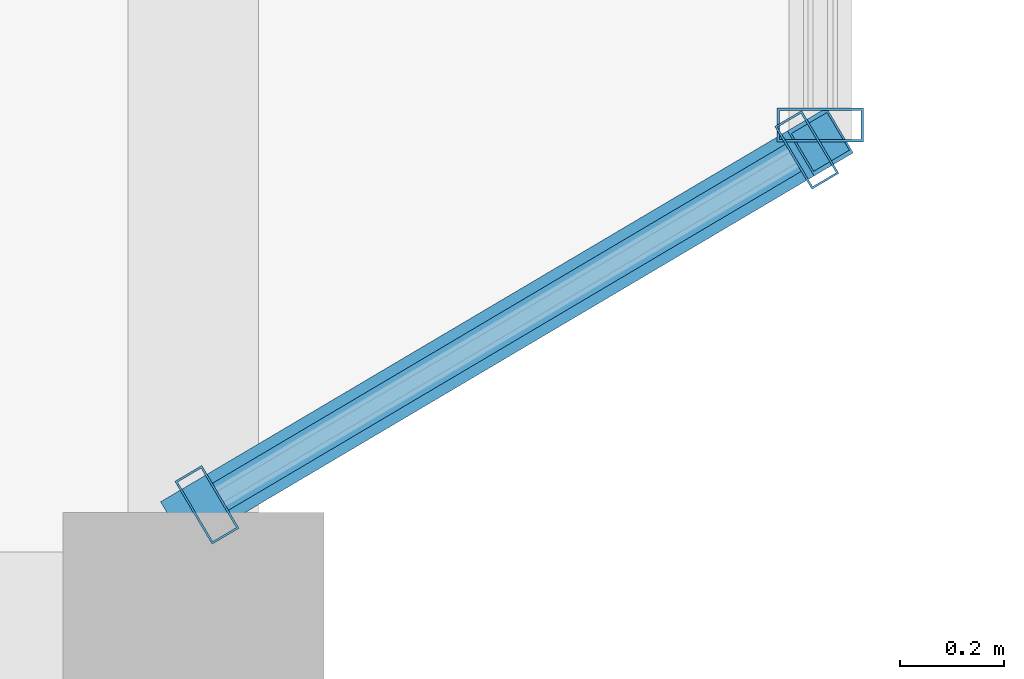
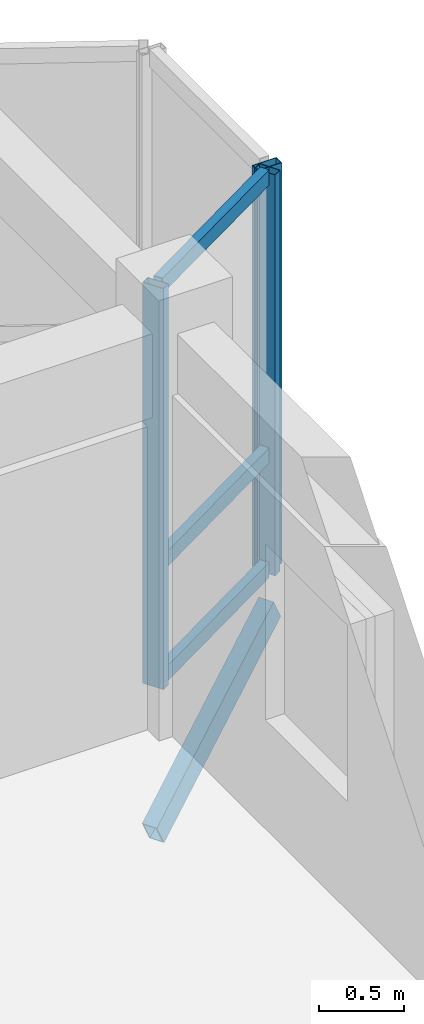
# One storey, part 9 of 70: 7 members, 2 elements without a shape of their own.
"""IFC4 building model written with IfcOpenShell, lengths in metres."""

from ifc_helpers import new_model, si_unit, direction, frame, origin, origin_2d, place, context, subcontext, project, spatial, hollow_rectangle, extrude, material, layer, layer_set, material_profile, profile_set, type_object, element, aggregate, save


model = new_model("IFC4")

# Units and contexts
model_context = context("Model", 3, precision=1e-05, world=origin(), true_north=direction((0.0, 1.0)))
body_context = subcontext(model_context, "Body", "Model", "MODEL_VIEW")
ifc_project = project(units=[si_unit("LENGTHUNIT", "METRE"), si_unit("AREAUNIT", "SQUARE_METRE"), si_unit("VOLUMEUNIT", "CUBIC_METRE"), si_unit("PLANEANGLEUNIT", "RADIAN"), si_unit("MASSUNIT", "GRAM", prefix="KILO"), si_unit("THERMODYNAMICTEMPERATUREUNIT", "KELVIN"), si_unit("POWERUNIT", "WATT")], contexts=[model_context])

# Site, building, storey
site_placement = place(None, origin())
site = spatial("IfcSite", under=ifc_project, at=site_placement, CompositionType="ELEMENT")
building_placement = place(site_placement, origin())
building = spatial("IfcBuilding", under=site, at=building_placement, Name="Tavuni Mirador Residences", CompositionType="ELEMENT")
storey_placement = place(building_placement, frame((0.0, 0.0, 23.39990234375)))
storey = spatial("IfcBuildingStorey", under=building, at=storey_placement, Name="L07", CompositionType="ELEMENT", Elevation=23.39990234375)

# Curtain wall, members
ifc_material_1 = material(Name="Anodised aluminium", Category="aluminium")
ifc_layer_1 = layer(ifc_material_1, 0.1650390625, Name="Anodised aluminium", Category="aluminium")
ifc_layer_set_1 = layer_set([ifc_layer_1], Name="Anodised aluminium")
curtain_wall_type_1 = type_object("IfcCurtainWallType", Name="CWT-MIR-A", PredefinedType="NOTDEFINED", material=ifc_layer_set_1)
curtain_wall_1_placement = place(storey_placement, origin())
curtain_wall_1 = element("IfcCurtainWall", 1, at=curtain_wall_1_placement, inside=storey, type_object=curtain_wall_type_1, Name="CW-MIR-A-E2-L07-M1", PredefinedType="NOTDEFINED")
ifc_material_profile_1 = material_profile(ifc_material_1, hollow_rectangle(XDim=0.06005859375, YDim=0.139892578125, WallThickness=0.00390625, at=origin_2d()), Name="ALU 60x140x4.0", Category="aluminium")
ifc_profile_set_1 = profile_set([ifc_material_profile_1], Name="Anodised aluminium")
member_type_1 = type_object("IfcMemberType", Name="CWM-140", PredefinedType="MULLION", material=ifc_profile_set_1)
member_1_placement = place(storey_placement, frame((32.42578125, 21.865234375, 0.0), z_axis=(0.0, 0.0, 1.0), x_axis=(0.860640830284, 0.509212491254, 0.0)))
member_1 = element("IfcMember", 2, at=member_1_placement, type_object=member_type_1, Name="CW-01 mullion 1", PredefinedType="MULLION", context=body_context, shape_type="SweptSolid", body=[
    extrude(hollow_rectangle(XDim=0.06005859375, YDim=0.139892578125, WallThickness=0.00390625, at=origin_2d()), origin(), (0.0, 0.0, 1.0), 2.8701171875),
])
member_2_placement = place(storey_placement, frame((33.57421875, 22.544677734375, 0.0), z_axis=(0.0, 0.0, 1.0), x_axis=(0.860640830284, 0.509212491254, 0.0)))
member_2 = element("IfcMember", 3, at=member_2_placement, type_object=member_type_1, Name="CW-01 mullion 2", PredefinedType="MULLION", context=body_context, shape_type="SweptSolid", body=[
    extrude(hollow_rectangle(XDim=0.06005859375, YDim=0.139892578125, WallThickness=0.00390625, at=origin_2d()), origin(), (0.0, 0.0, 1.0), 2.8701171875),
])

# Curtain wall, member
ifc_layer_2 = layer(ifc_material_1, 0.14990234375, Name="Anodised aluminium", Category="aluminium")
ifc_layer_set_2 = layer_set([ifc_layer_2], Name="Anodised aluminium")
curtain_wall_type_2 = type_object("IfcCurtainWallType", Name="CWT-MIR-B", PredefinedType="NOTDEFINED", material=ifc_layer_set_2)
curtain_wall_2_placement = place(storey_placement, origin())
curtain_wall_2 = element("IfcCurtainWall", 4, at=curtain_wall_2_placement, inside=storey, type_object=curtain_wall_type_2, Name="CW-MIR-A-E2-L07-MF", PredefinedType="NOTDEFINED")
ifc_material_profile_2 = material_profile(ifc_material_1, hollow_rectangle(XDim=0.06494140625, YDim=0.1650390625, WallThickness=0.00439453125, at=origin_2d()), Name="ALU 65x165x4.5", Category="aluminium")
ifc_profile_set_2 = profile_set([ifc_material_profile_2], Name="Anodised aluminium")
member_type_2 = type_object("IfcMemberType", Name="CWM-165", PredefinedType="MULLION", material=ifc_profile_set_2)
member_3_placement = place(storey_placement, frame((33.60009765625, 22.592529296875, 0.0), z_axis=(0.0, 0.0, 1.0), x_axis=(0.0, 1.0, 0.0)))
member_3 = element("IfcMember", 5, at=member_3_placement, type_object=member_type_2, Name="CW-02 mullion 1", PredefinedType="MULLION", context=body_context, shape_type="SweptSolid", body=[
    extrude(hollow_rectangle(XDim=0.06494140625, YDim=0.1650390625, WallThickness=0.00439453125, at=origin_2d()), origin(), (0.0, 0.0, 1.0), 2.8701171875),
])
aggregate(curtain_wall_2, [member_3])

# Member
ifc_material_profile_3 = material_profile(ifc_material_1, hollow_rectangle(XDim=0.06005859375, YDim=0.110107421875, WallThickness=0.00390625, at=origin_2d()), Name="ALU 60x110x4.0", Category="aluminium")
ifc_profile_set_3 = profile_set([ifc_material_profile_3], Name="Anodised aluminium")
member_type_3 = type_object("IfcMemberType", Name="CWT-110", PredefinedType="USERDEFINED", material=ifc_profile_set_3)
member_4_placement = place(storey_placement, frame((32.45166015625, 21.880615234375, 0.030029296875), z_axis=(0.860621238039, 0.509245603452, 0.0), x_axis=(-0.509245603452, 0.860621238039, 0.0)))
member_4 = element("IfcMember", 6, at=member_4_placement, type_object=member_type_3, Name="CW-01 transom 1.1", ObjectType="TRANSOM", PredefinedType="USERDEFINED", context=body_context, shape_type="SweptSolid", body=[
    extrude(hollow_rectangle(XDim=0.06005859375, YDim=0.110107421875, WallThickness=0.00390625, at=origin_2d()), origin(), (0.0, 0.0, 1.0), 1.274169921875),
])

member_5_placement = place(storey_placement, frame((32.45166015625, 21.880615234375, 0.85009765625), z_axis=(0.860621238039, 0.509245603452, 0.0), x_axis=(-0.509245603452, 0.860621238039, 0.0)))
member_5 = element("IfcMember", 7, at=member_5_placement, type_object=member_type_3, Name="CW-01 transom 1.2", ObjectType="TRANSOM", PredefinedType="USERDEFINED", context=body_context, shape_type="SweptSolid", body=[
    extrude(hollow_rectangle(XDim=0.06005859375, YDim=0.110107421875, WallThickness=0.00390625, at=origin_2d()), origin(), (0.0, 0.0, 1.0), 1.274169921875),
])

member_6_placement = place(storey_placement, frame((32.45166015625, 21.880615234375, 2.840087890625), z_axis=(0.860621238039, 0.509245603452, 0.0), x_axis=(-0.509245603452, 0.860621238039, 0.0)))
member_6 = element("IfcMember", 8, at=member_6_placement, type_object=member_type_3, Name="CW-01 transom 1.3", ObjectType="TRANSOM", PredefinedType="USERDEFINED", context=body_context, shape_type="SweptSolid", body=[
    extrude(hollow_rectangle(XDim=0.06005859375, YDim=0.110107421875, WallThickness=0.00390625, at=origin_2d()), origin(), (0.0, 0.0, 1.0), 1.274169921875),
])

aggregate(curtain_wall_1, [member_1, member_2, member_4, member_5, member_6])

ifc_material_2 = material(Name="Structural steel S355", Category="steel")
ifc_material_profile_4 = material_profile(ifc_material_2, hollow_rectangle(XDim=0.10009765625, YDim=0.179931640625, WallThickness=0.008056640625, at=origin_2d()), Name="RHS 180x100x8.0", Category="steel")
ifc_profile_set_4 = profile_set([ifc_material_profile_4], Name="Structural steel S355")
member_type_4 = type_object("IfcMemberType", Name="MT-BR-RHS180", PredefinedType="BRACE", material=ifc_profile_set_4)
member_7_placement = place(storey_placement, frame((32.39990234375, 21.85009765625, -1.0498046875), z_axis=(0.753448798133, 0.445693471312, 0.48339656414), x_axis=(-0.50913035723, 0.860689420957, 0.0)))
element("IfcMember", 9, at=member_7_placement, inside=storey, type_object=member_type_4, Name="MBRK-MIR-A-E2-L07-1", PredefinedType="BRACE", context=body_context, shape_type="SweptSolid", body=[
    extrude(hollow_rectangle(XDim=0.10009765625, YDim=0.179931640625, WallThickness=0.008056640625, at=origin_2d()), origin(), (0.0, 0.0, 1.0), 1.593017578125),
])

save(model, "model.ifc")
